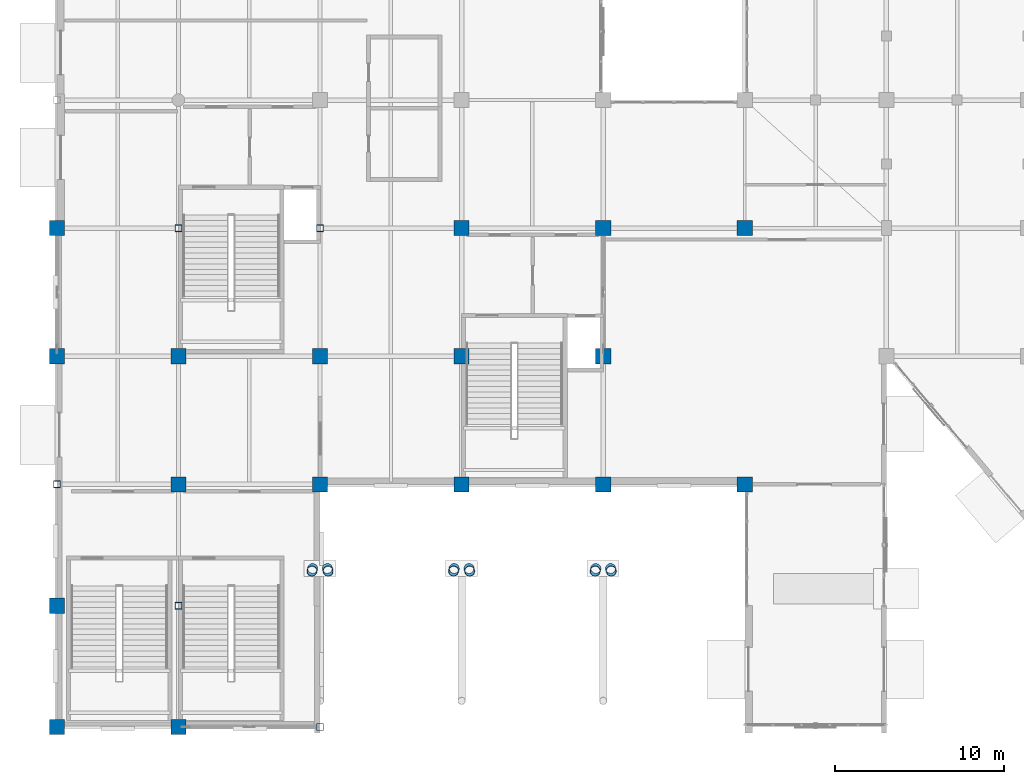
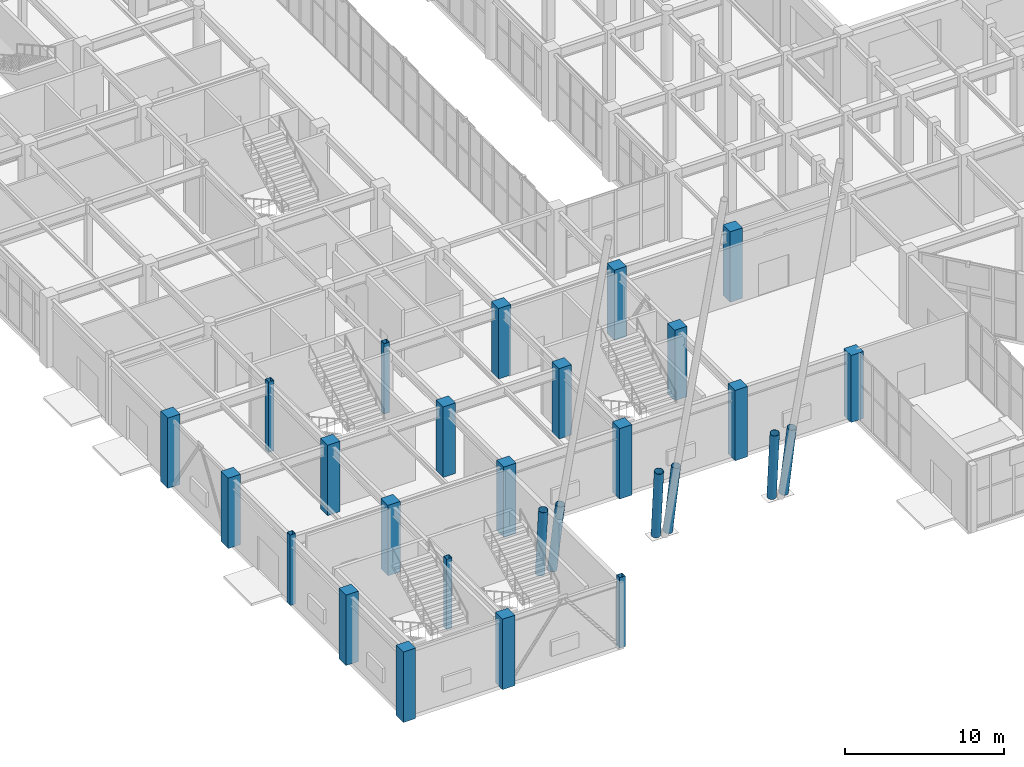
# One storey, part 1 of 139: 28 columns.
"""IFC4 building model written with IfcOpenShell, lengths in metres."""

import ifcopenshell
import ifcopenshell.guid

model = None  # the IFC model being written
_history = None  # IfcOwnerHistory: only IFC2X3 demands one
_inside = {}  # id of a spatial element -> (the spatial element, [elements in it])
_under = {}  # id of a project, library or spatial element -> (it, [spatial elements below it])
_declared = {}  # id of a project -> (the project, [libraries it declares])
_typed = {}  # id of a type object -> (the type object, [elements of that type])
_made_of = {}  # id of a material, layer set ... -> (it, [elements and type objects made of it])


def new_model(schema):
    """Start an empty IFC model of exactly this schema.

    Asked for "IFC4X3", IfcOpenShell would pick the latest addendum, in which some entities
    have other attributes; the version numbers below select the first issue.
    IFC2X3 requires an IfcOwnerHistory on every rooted entity: one is made here for all.
    """
    global model, _history
    if schema == "IFC4X3":
        model = ifcopenshell.file(schema_version=(4, 3, 0, 0))
    else:
        model = ifcopenshell.file(schema=schema)
    _inside.clear()
    _under.clear()
    _declared.clear()
    _typed.clear()
    _made_of.clear()
    _history = None
    if model.schema == "IFC2X3":
        org = make("IfcOrganization", Name="unknown")
        user = make(
            "IfcPersonAndOrganization",
            ThePerson=make("IfcPerson", FamilyName="unknown"),
            TheOrganization=org,
        )
        app = make(
            "IfcApplication",
            ApplicationDeveloper=org,
            Version="unknown",
            ApplicationFullName="unknown",
            ApplicationIdentifier="unknown",
        )
        _history = make(
            "IfcOwnerHistory",
            OwningUser=user,
            OwningApplication=app,
            ChangeAction="ADDED",
            CreationDate=0,
        )
    return model


def make(cls, **values):
    """One entity of the class cls with the attributes given. An attribute that is None is left unset."""
    return model.create_entity(
        cls, **{name: value for name, value in values.items() if value is not None}
    )


def rooted(cls, **values):
    """An entity with a GlobalId (a new one), such as an element, a storey or a relation."""
    return make(cls, GlobalId=ifcopenshell.guid.new(), OwnerHistory=_history, **values)


def si_unit(unit_type, name, prefix=None):
    """IfcSIUnit, for example si_unit("LENGTHUNIT", "METRE", prefix="MILLI")."""
    return make("IfcSIUnit", UnitType=unit_type, Prefix=prefix, Name=name)


def assignment(units):
    """IfcUnitAssignment: the units of a project."""
    return None if units is None else make("IfcUnitAssignment", Units=units)


def point(xyz):
    """IfcCartesianPoint."""
    return None if xyz is None else make("IfcCartesianPoint", Coordinates=xyz)


def direction(xyz):
    """IfcDirection."""
    return None if xyz is None else make("IfcDirection", DirectionRatios=xyz)


def frame(location, z_axis=None, x_axis=None):
    """IfcAxis2Placement3D, a coordinate frame: its origin and axes. An axis left out is left unset."""
    return make(
        "IfcAxis2Placement3D",
        Location=point(location),
        Axis=direction(z_axis),
        RefDirection=direction(x_axis),
    )


def frame_2d(location, x_axis=None):
    """IfcAxis2Placement2D, a coordinate frame in the plane: its origin and x axis."""
    return make(
        "IfcAxis2Placement2D", Location=point(location), RefDirection=direction(x_axis)
    )


def origin():
    """The frame at (0, 0, 0) with its axes left unset."""
    return frame((0.0, 0.0, 0.0))


def origin_2d():
    """The frame at (0, 0) in the plane with its x axis left unset."""
    return frame_2d((0.0, 0.0))


def place(relative_to, where):
    """IfcLocalPlacement: puts the frame where relative to a parent placement (None: the world)."""
    return make(
        "IfcLocalPlacement", PlacementRelTo=relative_to, RelativePlacement=where
    )


def context(
    kind, dimensions, precision=None, world=None, true_north=None, identifier=None
):
    """IfcGeometricRepresentationContext, for example the 3D "Model" context."""
    return make(
        "IfcGeometricRepresentationContext",
        ContextIdentifier=identifier,
        ContextType=kind,
        CoordinateSpaceDimension=dimensions,
        Precision=precision,
        WorldCoordinateSystem=world,
        TrueNorth=true_north,
    )


def subcontext(parent, identifier, kind, view, scale=None):
    """IfcGeometricRepresentationSubContext, for example "Body" below "Model"."""
    return make(
        "IfcGeometricRepresentationSubContext",
        ContextIdentifier=identifier,
        ContextType=kind,
        ParentContext=parent,
        TargetScale=scale,
        TargetView=view,
    )


def project(units=None, contexts=None):
    """IfcProject with its units and contexts."""
    return rooted(
        "IfcProject",
        Name="project",
        RepresentationContexts=contexts,
        UnitsInContext=assignment(units),
    )


def spatial(cls, under=None, at=None, **own):
    """A site, building, storey or space (cls), placed at a placement, below another one or the project."""
    s = rooted(cls, ObjectPlacement=at, **own)
    if under is not None:
        _under.setdefault(under.id(), (under, []))[1].append(s)
    return s


def profile(cls, at=None, kind="AREA", **sizes):
    """A parametric profile (cls). Its sizes go by their IFC names, for example OverallWidth=200.0."""
    return make(cls, ProfileType=kind, Position=at, **sizes)


def rectangle(**sizes):
    """IfcRectangleProfileDef."""
    return profile("IfcRectangleProfileDef", **sizes)


def hollow_rectangle(**sizes):
    """IfcRectangleHollowProfileDef."""
    return profile("IfcRectangleHollowProfileDef", **sizes)


def hollow_circle(**sizes):
    """IfcCircleHollowProfileDef."""
    return profile("IfcCircleHollowProfileDef", **sizes)


def extrude(swept, where, along, depth):
    """IfcExtrudedAreaSolid: the profile swept, set in the frame where, extruded along a direction by depth."""
    return make(
        "IfcExtrudedAreaSolid",
        SweptArea=swept,
        Position=where,
        ExtrudedDirection=direction(along),
        Depth=depth,
    )


def shape(context_of_items, identifier, shape_type, items):
    """IfcShapeRepresentation: the items that make up one representation, for example the "Body"."""
    return make(
        "IfcShapeRepresentation",
        ContextOfItems=context_of_items,
        RepresentationIdentifier=identifier,
        RepresentationType=shape_type,
        Items=items,
    )


def material(Name=None, Category=None):
    """IfcMaterial."""
    return make("IfcMaterial", Name=Name, Category=Category)


def material_profile(
    of_material, cross_section, Name=None, Category=None, Priority=None
):
    """IfcMaterialProfile: a cross section and its material."""
    return make(
        "IfcMaterialProfile",
        Name=Name,
        Material=of_material,
        Profile=cross_section,
        Priority=Priority,
        Category=Category,
    )


def profile_set(profiles, Name=None, composite=None):
    """IfcMaterialProfileSet."""
    return make(
        "IfcMaterialProfileSet",
        Name=Name,
        MaterialProfiles=profiles,
        CompositeProfile=composite,
    )


def made_of(thing, what):
    """Note that an element or type object is made of a material, layer set ...; save() writes the relation."""
    if what is not None:
        _made_of.setdefault(what.id(), (what, []))[1].append(thing)
    return thing


def type_object(cls, material=None, **own):
    """A type object (cls), such as IfcWallType, which elements share."""
    return made_of(rooted(cls, **own), material)


def element(
    cls,
    number,
    at=None,
    inside=None,
    cuts=None,
    type_object=None,
    material=None,
    context=None,
    identifier="Body",
    shape_type=None,
    held_by="IfcProductDefinitionShape",
    body=None,
    shapes=None,
    **own,
):
    """One element of the class cls, such as IfcWall. Its Tag is "e" and its number.

    at: its placement. inside: the storey or other place that contains it. cuts: it is an
    opening in that element (IfcRelVoidsElement). A single representation is given by context,
    identifier, shape_type and body (its items); several are given by shapes. held_by: the class
    of the entity that holds the representations. save() writes the other relations.
    """
    e = rooted(cls, Tag="e%d" % number, ObjectPlacement=at, **own)
    if body is not None:
        shapes = [shape(context, identifier, shape_type, body)]
    if shapes is not None:
        e.Representation = make(held_by, Representations=shapes)
    if inside is not None:
        _inside.setdefault(inside.id(), (inside, []))[1].append(e)
    if cuts is not None:
        rooted(
            "IfcRelVoidsElement", RelatingBuildingElement=cuts, RelatedOpeningElement=e
        )
    if type_object is not None:
        _typed.setdefault(type_object.id(), (type_object, []))[1].append(e)
    return made_of(e, material)


def aggregate(whole, parts):
    """IfcRelAggregates: a whole, such as a stair, and the parts it consists of."""
    return rooted("IfcRelAggregates", RelatingObject=whole, RelatedObjects=parts)


def save(model, path):
    """Write the relations noted so far, then the file.

    IfcRelAggregates (storeys below a building ...), IfcRelContainedInSpatialStructure (elements
    in a storey), IfcRelDefinesByType, IfcRelAssociatesMaterial and IfcRelDeclares: one each for
    every whole, place, type object, material and project.
    """
    for whole, parts in _under.values():
        aggregate(whole, parts)
    for where, things in _inside.values():
        rooted(
            "IfcRelContainedInSpatialStructure",
            RelatedElements=things,
            RelatingStructure=where,
        )
    for kind, things in _typed.values():
        rooted("IfcRelDefinesByType", RelatedObjects=things, RelatingType=kind)
    for what, things in _made_of.values():
        rooted("IfcRelAssociatesMaterial", RelatedObjects=things, RelatingMaterial=what)
    for by, libraries in _declared.values():
        rooted("IfcRelDeclares", RelatingContext=by, RelatedDefinitions=libraries)
    model.write(path)


model = new_model("IFC4")

# Units and contexts
model_context = context("Model", 3, precision=1e-05, world=origin(), true_north=direction((0.0, 1.0)))
body_context = subcontext(model_context, "Body", "Model", "MODEL_VIEW")
ifc_project = project(units=[si_unit("LENGTHUNIT", "METRE"), si_unit("AREAUNIT", "SQUARE_METRE"), si_unit("VOLUMEUNIT", "CUBIC_METRE"), si_unit("PLANEANGLEUNIT", "RADIAN"), si_unit("MASSUNIT", "GRAM", prefix="KILO")], contexts=[model_context])

# Site, building, storey
site_placement = place(None, origin())
site = spatial("IfcSite", under=ifc_project, at=site_placement, CompositionType="ELEMENT")
building_placement = place(site_placement, origin())
building = spatial("IfcBuilding", under=site, at=building_placement, Name="Xicomal Pleat Aquarium", CompositionType="ELEMENT")
storey_placement = place(building_placement, origin())
storey = spatial("IfcBuildingStorey", under=building, at=storey_placement, Name="L01", CompositionType="ELEMENT", Elevation=0.0)

# Columns
ifc_material_1 = material(Name="Concrete C40/50", Category="concrete")
ifc_material_profile_1 = material_profile(ifc_material_1, rectangle(XDim=0.89990234375, YDim=0.89990234375, at=origin_2d()), Name="RC 900x900")
ifc_profile_set_1 = profile_set([ifc_material_profile_1], Name="Concrete C40/50")
column_type_1 = type_object("IfcColumnType", Name="COL-RC-900x900", PredefinedType="COLUMN", material=ifc_profile_set_1)
for number, where, z_axis, x_axis, name in (
    (1, (3.0, 0.800048828125, 0.0), (0.0, 0.0, 1.0), (1.0, 0.0, 0.0), "L01 column 01/A"),
    (2, (3.0, 8.0, 0.0), (0.0, 0.0, 1.0), (1.0, 0.0, 0.0), "L01 column 01/B"),
    (3, (3.0, 22.800048828125, 0.0), (0.0, 0.0, 1.0), (1.0, 0.0, 0.0), "L01 column 01/D"),
    (4, (3.0, 30.39990234375, 0.0), (0.0, 0.0, 1.0), (1.0, 0.0, 0.0), "L01 column 01/E"),
    (5, (10.199951171875, 0.800048828125, 0.0), (0.0, 0.0, 1.0), (1.0, 0.0, 0.0), "L01 column 02/A"),
    (6, (10.199951171875, 15.199951171875, 0.0), (0.0, 0.0, 1.0), (1.0, 0.0, 0.0), "L01 column 02/C"),
    (7, (10.199951171875, 22.800048828125, 0.0), (0.0, 0.0, 1.0), (1.0, 0.0, 0.0), "L01 column 02/D"),
    (8, (18.60009765625, 15.199951171875, 0.0), (0.0, 0.0, 1.0), (1.0, 0.0, 0.0), "L01 column 03/C"),
    (9, (18.60009765625, 22.800048828125, 0.0), (0.0, 0.0, 1.0), (1.0, 0.0, 0.0), "L01 column 03/D"),
    (10, (27.0, 15.199951171875, 0.0), (0.0, 0.0, 1.0), (1.0, 0.0, 0.0), "L01 column 04/C"),
    (11, (27.0, 22.800048828125, 0.0), (0.0, 0.0, 1.0), (1.0, 0.0, 0.0), "L01 column 04/D"),
    (12, (27.0, 30.39990234375, 0.0), (0.0, 0.0, 1.0), (1.0, 0.0, 0.0), "L01 column 04/E"),
    (13, (35.39990234375, 15.199951171875, 0.0), (0.0, 0.0, 1.0), (1.0, 0.0, 0.0), "L01 column 05/C"),
    (14, (35.39990234375, 22.800048828125, 0.0), (0.0, 0.0, 1.0), (1.0, 0.0, 0.0), "L01 column 05/D"),
    (15, (35.39990234375, 30.39990234375, 0.0), (0.0, 0.0, 1.0), (1.0, 0.0, 0.0), "L01 column 05/E"),
):
    element("IfcColumn", number, at=place(storey_placement, frame(where, z_axis=z_axis, x_axis=x_axis)), inside=storey, type_object=column_type_1, Name=name, PredefinedType="COLUMN", context=body_context, shape_type="SweptSolid", body=[
        extrude(rectangle(XDim=0.89990234375, YDim=0.89990234375, at=origin_2d()), origin(), (0.0, 0.0, 1.0), 5.39990234375),
    ])
column_1_placement = place(storey_placement, frame((43.800048828125, 15.199951171875, 0.0), z_axis=(0.0, 0.0, 1.0), x_axis=(1.0, 0.0, 0.0)))
element("IfcColumn", 16, at=column_1_placement, inside=storey, type_object=column_type_1, Name="L01 column 06/C", PredefinedType="COLUMN", context=body_context, shape_type="SweptSolid", body=[
    extrude(rectangle(XDim=0.89990234375, YDim=0.89990234375, at=origin_2d()), origin(), (0.0, 0.0, 1.0), 5.139892578125),
])
column_2_placement = place(storey_placement, frame((43.800048828125, 30.39990234375, 0.0), z_axis=(0.0, 0.0, 1.0), x_axis=(1.0, 0.0, 0.0)))
element("IfcColumn", 17, at=column_2_placement, inside=storey, type_object=column_type_1, Name="L01 column 06/E", PredefinedType="COLUMN", context=body_context, shape_type="SweptSolid", body=[
    extrude(rectangle(XDim=0.89990234375, YDim=0.89990234375, at=origin_2d()), origin(), (0.0, 0.0, 1.0), 5.39990234375),
])
ifc_material_2 = material(Name="Architectural steel ASTM A572 Gr 50", Category="steel")
ifc_material_profile_2 = material_profile(ifc_material_2, hollow_circle(Radius=0.304931640625, WallThickness=0.02392578125, at=origin_2d()), Name="OC 610x24")
ifc_profile_set_2 = profile_set([ifc_material_profile_2], Name="Architectural steel ASTM A572 Gr 50")
column_type_2 = type_object("IfcColumnType", Name="COL-STL-OC610", PredefinedType="COLUMN", material=ifc_profile_set_2)
for number, where, z_axis, x_axis, name in (
    (18, (18.159912109375, 10.199951171875, 0.0400390625), (-0.032939885047, -0.130449174389, 0.990907653051), (0.969566891955, -0.244826554983, 0.0), "L01 entrance pavilion splayed steel column 03W"),
    (19, (19.0400390625, 10.199951171875, 0.0400390625), (0.032939885047, -0.130449174389, 0.990907653051), (0.969566891955, 0.244826554983, 0.0), "L01 entrance pavilion splayed steel column 03E"),
    (20, (26.56005859375, 10.199951171875, 0.0400390625), (-0.032939885047, -0.130449174389, 0.990907653051), (0.969566891955, -0.244826554983, 0.0), "L01 entrance pavilion splayed steel column 04W"),
    (21, (27.43994140625, 10.199951171875, 0.0400390625), (0.032939885047, -0.130449174389, 0.990907653051), (0.969566891955, 0.244826554983, 0.0), "L01 entrance pavilion splayed steel column 04E"),
    (22, (34.9599609375, 10.199951171875, 0.0400390625), (-0.032939885047, -0.130449174389, 0.990907653051), (0.969566891955, -0.244826554983, 0.0), "L01 entrance pavilion splayed steel column 05W"),
    (23, (35.840087890625, 10.199951171875, 0.0400390625), (0.032939885047, -0.130449174389, 0.990907653051), (0.969566891955, 0.244826554983, 0.0), "L01 entrance pavilion splayed steel column 05E"),
):
    element("IfcColumn", number, at=place(storey_placement, frame(where, z_axis=z_axis, x_axis=x_axis)), inside=storey, type_object=column_type_2, Name=name, PredefinedType="COLUMN", context=body_context, shape_type="SweptSolid", body=[
        extrude(hollow_circle(Radius=0.304931640625, WallThickness=0.02392578125, at=origin_2d()), origin(), (0.0, 0.0, 1.0), 5.403076171875),
    ])
ifc_material_3 = material(Name="Structural steel A500 Gr C", Category="steel")
ifc_material_profile_3 = material_profile(ifc_material_3, hollow_rectangle(XDim=0.39990234375, YDim=0.39990234375, WallThickness=0.01611328125, at=origin_2d()), Name="OR 400x400x16")
ifc_profile_set_3 = profile_set([ifc_material_profile_3], Name="Structural steel A500 Gr C")
column_type_3 = type_object("IfcColumnType", Name="COL-STL-OR400", PredefinedType="COLUMN", material=ifc_profile_set_3)
for number, where, z_axis, x_axis, name in (
    (24, (3.0, 15.199951171875, 0.0), (0.0, 0.0, 1.0), (1.0, 0.0, 0.0), "L01 column 01/C"),
    (25, (10.199951171875, 8.0, 0.0), (0.0, 0.0, 1.0), (1.0, 0.0, 0.0), "L01 column 02/B"),
    (26, (10.199951171875, 30.39990234375, 0.0), (0.0, 0.0, 1.0), (1.0, 0.0, 0.0), "L01 column 02/E"),
    (27, (18.60009765625, 0.800048828125, 0.0), (0.0, 0.0, 1.0), (1.0, 0.0, 0.0), "L01 column 03/A"),
    (28, (18.60009765625, 30.39990234375, 0.0), (0.0, 0.0, 1.0), (1.0, 0.0, 0.0), "L01 column 03/E"),
):
    element("IfcColumn", number, at=place(storey_placement, frame(where, z_axis=z_axis, x_axis=x_axis)), inside=storey, type_object=column_type_3, Name=name, PredefinedType="COLUMN", context=body_context, shape_type="SweptSolid", body=[
        extrude(hollow_rectangle(XDim=0.39990234375, YDim=0.39990234375, WallThickness=0.01611328125, at=origin_2d()), origin(), (0.0, 0.0, 1.0), 5.39990234375),
    ])

save(model, "model.ifc")
